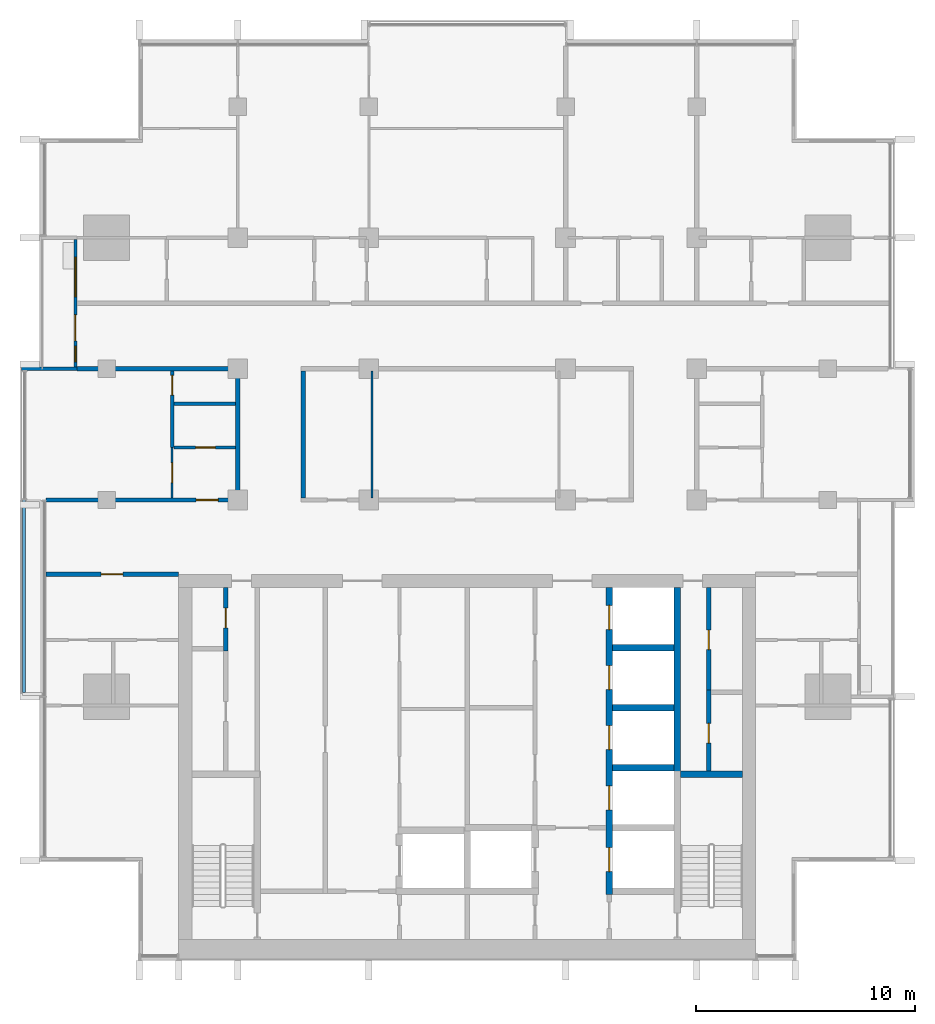
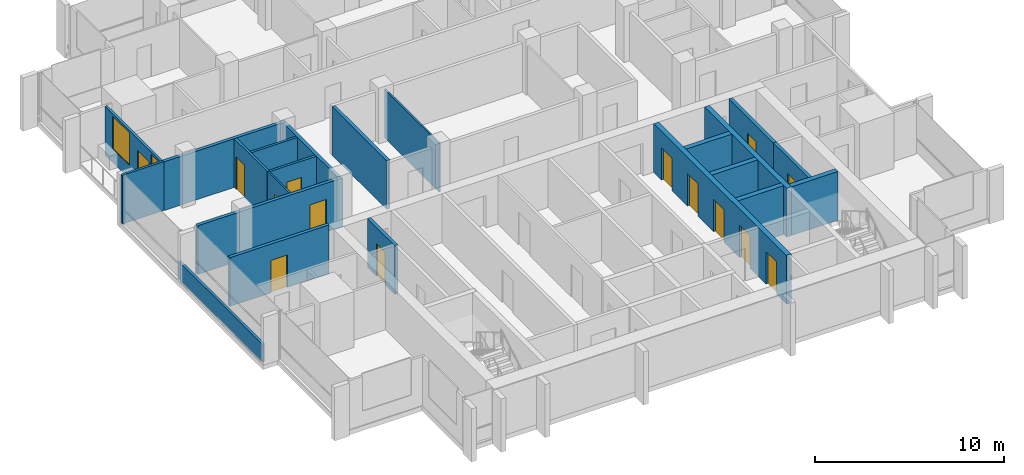
# One storey, part 8 of 16: 22 walls, 14 doors, 2 windows, 16 openings.
"""IFC4 building model written with IfcOpenShell, lengths in metres."""

from ifc_helpers import new_model, si_unit, direction, frame, frame_2d, origin, place, context, subcontext, project, spatial, rectangle, extrude, material, layer, layer_set, type_object, element, fill, save


model = new_model("IFC4")

# Units and contexts
model_context = context("Model", 3, precision=1e-05, world=origin(), true_north=direction((0.0, 1.0)))
body_context = subcontext(model_context, "Body", "Model", "MODEL_VIEW")
ifc_project = project(units=[si_unit("LENGTHUNIT", "METRE"), si_unit("AREAUNIT", "SQUARE_METRE"), si_unit("VOLUMEUNIT", "CUBIC_METRE"), si_unit("PLANEANGLEUNIT", "RADIAN"), si_unit("MASSUNIT", "GRAM", prefix="KILO")], contexts=[model_context])

# Site, building, storey
site_placement = place(None, origin())
site = spatial("IfcSite", under=ifc_project, at=site_placement, CompositionType="ELEMENT")
building_placement = place(site_placement, origin())
building = spatial("IfcBuilding", under=site, at=building_placement, Name="Finial Court Residences", CompositionType="ELEMENT")
storey_placement = place(building_placement, frame((0.0, 0.0, 244.699951171875)))
storey = spatial("IfcBuildingStorey", under=building, at=storey_placement, Name="L62", CompositionType="ELEMENT", Elevation=244.699951171875)

# Wall, opening, door
ifc_material_1 = material(Name="Gypsum board")
ifc_layer_1 = layer(ifc_material_1, 0.02490234375)
ifc_material_2 = material(Name="Acoustic mineral wool in double frame")
ifc_layer_2 = layer(ifc_material_2, 0.14990234375)
ifc_layer_3 = layer(ifc_material_1, 0.02490234375)
ifc_layer_set_1 = layer_set([ifc_layer_1, ifc_layer_2, ifc_layer_3], Name="Corridor wall 200, 1 hour")
wall_type_1 = type_object("IfcWallType", Name="Corridor wall 200, 1 hour", PredefinedType="PARTITIONING", material=ifc_layer_set_1)
wall_1_placement = place(storey_placement, frame((-19.262451171875, -7.89990234375, 0.0), z_axis=(0.0, 0.0, 1.0), x_axis=(1.0, 0.0, 0.0)))
wall_1 = element("IfcWall", 1, at=wall_1_placement, inside=storey, type_object=wall_type_1, Name="Partition L62-004", PredefinedType="PARTITIONING", context=body_context, shape_type="SweptSolid", body=[
    extrude(rectangle(XDim=6.0625, YDim=0.199951171875, at=frame_2d((3.03125, 0.0))), origin(), (0.0, 0.0, 1.0), 3.150146484375),
])
opening_1_placement = place(wall_1_placement, frame((2.511962890625, 0.0, 0.0)))
opening_1 = element("IfcOpeningElement", 2, at=opening_1_placement, cuts=wall_1, Name="Opening L62-D007", PredefinedType="OPENING", context=body_context, shape_type="SweptSolid", body=[
    extrude(rectangle(XDim=1.0, YDim=2.10009765625, at=frame_2d((0.5, 1.050048828125))), frame((0.0, 0.10986328125, 0.0), z_axis=(0.0, -1.0, 0.0), x_axis=(1.0, 0.0, 0.0)), (0.0, 0.0, 1.0), 0.219970703125),
])
ifc_material_3 = material(Name="Timber door leaf in hollow metal frame", Category="wood")
door_type_1 = type_object("IfcDoorType", Name="Fire door set 1000 x 2100, 30 minutes", OperationType="SINGLE_SWING_LEFT", PredefinedType="DOOR", material=ifc_material_3)
door_1_placement = place(opening_1_placement, origin())
door_1 = element("IfcDoor", 3, at=door_1_placement, inside=storey, type_object=door_type_1, Name="Door L62-D007", OperationType="SINGLE_SWING_LEFT", OverallHeight=2.10009765625, OverallWidth=1.0, PredefinedType="DOOR", context=body_context, shape_type="SweptSolid", body=[
    extrude(rectangle(XDim=1.0, YDim=2.10009765625, at=frame_2d((0.5, 1.050048828125))), frame((0.0, 0.02490234375, 0.0), z_axis=(0.0, -1.0, 0.0), x_axis=(1.0, 0.0, 0.0)), (0.0, 0.0, 1.0), 0.050048828125),
])
fill(opening_1, door_1)

wall_2_placement = place(storey_placement, frame((-19.262451171875, -4.5, 0.0), z_axis=(0.0, 0.0, 1.0), x_axis=(1.0, 0.0, 0.0)))
wall_2 = element("IfcWall", 4, at=wall_2_placement, inside=storey, type_object=wall_type_1, Name="Partition L62-006", PredefinedType="PARTITIONING", context=body_context, shape_type="SweptSolid", body=[
    extrude(rectangle(XDim=8.862548828125, YDim=0.199951171875, at=frame_2d((4.43115234375, 0.0))), origin(), (0.0, 0.0, 1.0), 3.150146484375),
])
opening_2_placement = place(wall_2_placement, frame((6.862060546875, 0.0, 0.0)))
opening_2 = element("IfcOpeningElement", 5, at=opening_2_placement, cuts=wall_2, Name="Opening L62-D009", PredefinedType="OPENING", context=body_context, shape_type="SweptSolid", body=[
    extrude(rectangle(XDim=1.0, YDim=2.10009765625, at=frame_2d((0.5, 1.050048828125))), frame((0.0, 0.10986328125, 0.0), z_axis=(0.0, -1.0, 0.0), x_axis=(1.0, 0.0, 0.0)), (0.0, 0.0, 1.0), 0.219970703125),
])
door_2_placement = place(opening_2_placement, origin())
door_2 = element("IfcDoor", 6, at=door_2_placement, inside=storey, type_object=door_type_1, Name="Door L62-D009", OperationType="SINGLE_SWING_LEFT", OverallHeight=2.10009765625, OverallWidth=1.0, PredefinedType="DOOR", context=body_context, shape_type="SweptSolid", body=[
    extrude(rectangle(XDim=1.0, YDim=2.10009765625, at=frame_2d((0.5, 1.050048828125))), frame((0.0, 0.02490234375, 0.0), z_axis=(0.0, -1.0, 0.0), x_axis=(1.0, 0.0, 0.0)), (0.0, 0.0, 1.0), 0.050048828125),
])
fill(opening_2, door_2)

# Walls
wall_3_placement = place(storey_placement, frame((-17.85009765625, 1.5, 0.0), z_axis=(0.0, 0.0, 1.0), x_axis=(1.0, 0.0, 0.0)))
element("IfcWall", 7, at=wall_3_placement, inside=storey, type_object=wall_type_1, Name="Partition L62-013", PredefinedType="PARTITIONING", context=body_context, shape_type="SweptSolid", body=[
    extrude(rectangle(XDim=7.4501953125, YDim=0.199951171875, at=frame_2d((3.72509765625, 0.0))), origin(), (0.0, 0.0, 1.0), 3.150146484375),
])
for number, where, z_axis, x_axis, name in (
    (8, (-10.5, -4.39990234375, 0.0), (0.0, 0.0, 1.0), (0.0, 1.0, 0.0), "Partition L62-033"),
    (9, (-7.5, -4.39990234375, 0.0), (0.0, 0.0, 1.0), (0.0, 1.0, 0.0), "Partition L62-035"),
):
    element("IfcWall", number, at=place(storey_placement, frame(where, z_axis=z_axis, x_axis=x_axis)), inside=storey, type_object=wall_type_1, Name=name, PredefinedType="PARTITIONING", context=body_context, shape_type="SweptSolid", body=[
        extrude(rectangle(XDim=5.7998046875, YDim=0.199951171875, at=frame_2d((2.89990234375, 0.0))), origin(), (0.0, 0.0, 1.0), 3.150146484375),
    ])

# Wall, opening, door
ifc_layer_4 = layer(ifc_material_1, 0.012451171875)
ifc_material_4 = material(Name="Mineral wool in light-gauge frame")
ifc_layer_5 = layer(ifc_material_4, 0.074951171875)
ifc_layer_6 = layer(ifc_material_1, 0.012451171875)
ifc_layer_set_2 = layer_set([ifc_layer_4, ifc_layer_5, ifc_layer_6], Name="Gypsum board partition 100")
wall_type_2 = type_object("IfcWallType", Name="Gypsum board partition 100", PredefinedType="PARTITIONING", material=ifc_layer_set_2)
wall_4_placement = place(storey_placement, frame((-13.5, -4.39990234375, 0.0), z_axis=(0.0, 0.0, 1.0), x_axis=(0.0, 1.0, 0.0)))
wall_4 = element("IfcWall", 10, at=wall_4_placement, inside=storey, type_object=wall_type_2, Name="Partition L62-031", PredefinedType="PARTITIONING", context=body_context, shape_type="SweptSolid", body=[
    extrude(rectangle(XDim=2.2998046875, YDim=0.10009765625, at=frame_2d((1.14990234375, 0.0))), origin(), (0.0, 0.0, 1.0), 3.150146484375),
])
opening_3_placement = place(wall_4_placement, frame((0.699951171875, 0.0, 0.0)))
opening_3 = element("IfcOpeningElement", 11, at=opening_3_placement, cuts=wall_4, Name="Opening L62-D027", PredefinedType="OPENING", context=body_context, shape_type="SweptSolid", body=[
    extrude(rectangle(XDim=0.89990234375, YDim=2.10009765625, at=frame_2d((0.449951171875, 1.050048828125))), frame((0.0, 0.06005859375, 0.0), z_axis=(0.0, -1.0, 0.0), x_axis=(1.0, 0.0, 0.0)), (0.0, 0.0, 1.0), 0.1201171875),
])
ifc_material_5 = material(Name="Timber door leaf in timber frame", Category="wood")
door_type_2 = type_object("IfcDoorType", Name="Door set 900 x 2100", OperationType="SINGLE_SWING_LEFT", PredefinedType="DOOR", material=ifc_material_5)
door_3_placement = place(opening_3_placement, origin())
door_3 = element("IfcDoor", 12, at=door_3_placement, inside=storey, type_object=door_type_2, Name="Door L62-D027", OperationType="SINGLE_SWING_LEFT", OverallHeight=2.10009765625, OverallWidth=0.89990234375, PredefinedType="DOOR", context=body_context, shape_type="SweptSolid", body=[
    extrude(rectangle(XDim=0.89990234375, YDim=2.10009765625, at=frame_2d((0.449951171875, 1.050048828125))), frame((0.0, 0.02490234375, 0.0), z_axis=(0.0, -1.0, 0.0), x_axis=(1.0, 0.0, 0.0)), (0.0, 0.0, 1.0), 0.050048828125),
])
fill(opening_3, door_3)

# Wall
wall_5_placement = place(storey_placement, frame((-4.35009765625, -4.39990234375, 0.0), z_axis=(0.0, 0.0, 1.0), x_axis=(0.0, 1.0, 0.0)))
element("IfcWall", 13, at=wall_5_placement, inside=storey, type_object=wall_type_2, Name="Partition L62-039", PredefinedType="PARTITIONING", context=body_context, shape_type="SweptSolid", body=[
    extrude(rectangle(XDim=5.7998046875, YDim=0.10009765625, at=frame_2d((2.89990234375, 0.0))), origin(), (0.0, 0.0, 1.0), 3.150146484375),
])

# Wall, opening, door
ifc_material_6 = material(Name="Moisture-resistant gypsum board")
ifc_layer_7 = layer(ifc_material_6, 0.012451171875)
ifc_layer_8 = layer(ifc_material_4, 0.125)
ifc_layer_9 = layer(ifc_material_6, 0.012451171875)
ifc_layer_set_3 = layer_set([ifc_layer_7, ifc_layer_8, ifc_layer_9], Name="Gypsum board wet-area partition 150")
wall_type_3 = type_object("IfcWallType", Name="Gypsum board wet-area partition 150", PredefinedType="PARTITIONING", material=ifc_layer_set_3)
wall_6_placement = place(storey_placement, frame((-13.425048828125, -2.10009765625, 0.0), z_axis=(0.0, 0.0, 1.0), x_axis=(1.0, 0.0, 0.0)))
wall_6 = element("IfcWall", 14, at=wall_6_placement, inside=storey, type_object=wall_type_3, Name="Partition L62-009", PredefinedType="PARTITIONING", context=body_context, shape_type="SweptSolid", body=[
    extrude(rectangle(XDim=2.824951171875, YDim=0.14990234375, at=frame_2d((1.41259765625, 0.0))), origin(), (0.0, 0.0, 1.0), 3.150146484375),
])
opening_4_placement = place(wall_6_placement, frame((1.0, 0.0, 0.0)))
opening_4 = element("IfcOpeningElement", 15, at=opening_4_placement, cuts=wall_6, Name="Opening L62-D014", PredefinedType="OPENING", context=body_context, shape_type="SweptSolid", body=[
    extrude(rectangle(XDim=0.89990234375, YDim=2.10009765625, at=frame_2d((0.449951171875, 1.050048828125))), frame((0.0, 0.0849609375, 0.0), z_axis=(0.0, -1.0, 0.0), x_axis=(1.0, 0.0, 0.0)), (0.0, 0.0, 1.0), 0.169921875),
])
door_4_placement = place(opening_4_placement, origin())
door_4 = element("IfcDoor", 16, at=door_4_placement, inside=storey, type_object=door_type_2, Name="Door L62-D014", OperationType="SINGLE_SWING_RIGHT", OverallHeight=2.10009765625, OverallWidth=0.89990234375, PredefinedType="DOOR", context=body_context, shape_type="SweptSolid", body=[
    extrude(rectangle(XDim=0.89990234375, YDim=2.10009765625, at=frame_2d((0.449951171875, 1.050048828125))), frame((0.0, 0.02490234375, 0.0), z_axis=(0.0, -1.0, 0.0), x_axis=(1.0, 0.0, 0.0)), (0.0, 0.0, 1.0), 0.050048828125),
])
fill(opening_4, door_4)

# Wall
wall_7_placement = place(storey_placement, frame((-13.425048828125, -0.10009765625, 0.0), z_axis=(0.0, 0.0, 1.0), x_axis=(1.0, 0.0, 0.0)))
element("IfcWall", 17, at=wall_7_placement, inside=storey, type_object=wall_type_3, Name="Partition L62-011", PredefinedType="PARTITIONING", context=body_context, shape_type="SweptSolid", body=[
    extrude(rectangle(XDim=2.824951171875, YDim=0.14990234375, at=frame_2d((1.41259765625, 0.0))), origin(), (0.0, 0.0, 1.0), 3.150146484375),
])

# Wall, opening, door
wall_8_placement = place(storey_placement, frame((-13.5, -2.10009765625, 0.0), z_axis=(0.0, 0.0, 1.0), x_axis=(0.0, 1.0, 0.0)))
wall_8 = element("IfcWall", 18, at=wall_8_placement, inside=storey, type_object=wall_type_3, Name="Partition L62-032", PredefinedType="PARTITIONING", context=body_context, shape_type="SweptSolid", body=[
    extrude(rectangle(XDim=3.5, YDim=0.14990234375, at=frame_2d((1.75, 0.0))), origin(), (0.0, 0.0, 1.0), 3.150146484375),
])
opening_5_placement = place(wall_8_placement, frame((2.39990234375, 0.0, 0.0)))
opening_5 = element("IfcOpeningElement", 19, at=opening_5_placement, cuts=wall_8, Name="Opening L62-D028", PredefinedType="OPENING", context=body_context, shape_type="SweptSolid", body=[
    extrude(rectangle(XDim=0.89990234375, YDim=2.10009765625, at=frame_2d((0.449951171875, 1.050048828125))), frame((0.0, 0.0849609375, 0.0), z_axis=(0.0, -1.0, 0.0), x_axis=(1.0, 0.0, 0.0)), (0.0, 0.0, 1.0), 0.169921875),
])
door_5_placement = place(opening_5_placement, origin())
door_5 = element("IfcDoor", 20, at=door_5_placement, inside=storey, type_object=door_type_2, Name="Door L62-D028", OperationType="SINGLE_SWING_RIGHT", OverallHeight=2.10009765625, OverallWidth=0.89990234375, PredefinedType="DOOR", context=body_context, shape_type="SweptSolid", body=[
    extrude(rectangle(XDim=0.89990234375, YDim=2.10009765625, at=frame_2d((0.449951171875, 1.050048828125))), frame((0.0, 0.02490234375, 0.0), z_axis=(0.0, -1.0, 0.0), x_axis=(1.0, 0.0, 0.0)), (0.0, 0.0, 1.0), 0.050048828125),
])
fill(opening_5, door_5)

# Walls
ifc_material_7 = material(Name="Concrete C35/45", Category="concrete")
ifc_layer_10 = layer(ifc_material_7, 0.14990234375)
ifc_layer_set_4 = layer_set([ifc_layer_10], Name="Ledge parapet, Concrete C35/45 150")
wall_type_4 = type_object("IfcWallType", Name="Ledge parapet, Concrete C35/45 150", PredefinedType="PARAPET", material=ifc_layer_set_4)
wall_9_placement = place(storey_placement, frame((-20.27490234375, -13.300048828125, 0.0), z_axis=(0.0, 0.0, 1.0), x_axis=(0.0, 1.0, 0.0)))
element("IfcWall", 21, at=wall_9_placement, inside=storey, type_object=wall_type_4, Name="E-L62-LED1-P2", PredefinedType="PARAPET", context=body_context, shape_type="SweptSolid", body=[
    extrude(rectangle(XDim=8.8525390625, YDim=0.14990234375, at=frame_2d((4.42626953125, 0.0))), origin(), (0.0, 0.0, 1.0), 1.150146484375),
])
ifc_material_8 = material(Name="Concrete C60/75", Category="concrete")
ifc_layer_11 = layer(ifc_material_8, 0.300048828125)
ifc_layer_set_5 = layer_set([ifc_layer_11], Name="Lift shaft and stair wall 300 Concrete C60/75")
wall_type_5 = type_object("IfcWallType", Name="Lift shaft and stair wall 300 Concrete C60/75", PredefinedType="SHEAR", material=ifc_layer_set_5)
wall_10_placement = place(storey_placement, frame((9.75, -17.050048828125, 0.0), z_axis=(0.0, 0.0, 1.0), x_axis=(1.0, 0.0, 0.0)))
element("IfcWall", 22, at=wall_10_placement, inside=storey, type_object=wall_type_5, Name="Core wall L62-10", PredefinedType="SHEAR", context=body_context, shape_type="SweptSolid", body=[
    extrude(rectangle(XDim=2.85009765625, YDim=0.300048828125, at=frame_2d((1.425048828125, 0.0))), origin(), (0.0, 0.0, 1.0), 3.150146484375),
])
for number, where, z_axis, x_axis, name in (
    (23, (6.64990234375, -16.75, 0.0), (0.0, 0.0, 1.0), (1.0, 0.0, 0.0), "Core wall L62-11"),
    (24, (6.64990234375, -14.0, 0.0), (0.0, 0.0, 1.0), (1.0, 0.0, 0.0), "Core wall L62-14"),
    (25, (6.64990234375, -11.25, 0.0), (0.0, 0.0, 1.0), (1.0, 0.0, 0.0), "Core wall L62-17"),
):
    element("IfcWall", number, at=place(storey_placement, frame(where, z_axis=z_axis, x_axis=x_axis)), inside=storey, type_object=wall_type_5, Name=name, PredefinedType="SHEAR", context=body_context, shape_type="SweptSolid", body=[
        extrude(rectangle(XDim=2.800048828125, YDim=0.300048828125, at=frame_2d((1.39990234375, 0.0))), origin(), (0.0, 0.0, 1.0), 3.150146484375),
    ])

# Wall, openings, doors
wall_11_placement = place(storey_placement, frame((6.5, -22.550048828125, 0.0), z_axis=(0.0, 0.0, 1.0), x_axis=(0.0, 1.0, 0.0)))
wall_11 = element("IfcWall", 26, at=wall_11_placement, inside=storey, type_object=wall_type_5, Name="Core wall L62-33", PredefinedType="SHEAR", context=body_context, shape_type="SweptSolid", body=[
    extrude(rectangle(XDim=14.050048828125, YDim=0.300048828125, at=frame_2d((7.02490234375, 0.0))), origin(), (0.0, 0.0, 1.0), 3.150146484375),
])
opening_6_placement = place(wall_11_placement, frame((1.050048828125, 0.0, 0.0)))
opening_6 = element("IfcOpeningElement", 27, at=opening_6_placement, cuts=wall_11, Name="Opening L62-LD02", PredefinedType="OPENING", context=body_context, shape_type="SweptSolid", body=[
    extrude(rectangle(XDim=1.10009765625, YDim=2.10009765625, at=frame_2d((0.550048828125, 1.050048828125))), frame((0.0, 0.159912109375, 0.0), z_axis=(0.0, -1.0, 0.0), x_axis=(1.0, 0.0, 0.0)), (0.0, 0.0, 1.0), 0.320068359375),
])
opening_7_placement = place(wall_11_placement, frame((3.875, 0.0, 0.0)))
opening_7 = element("IfcOpeningElement", 28, at=opening_7_placement, cuts=wall_11, Name="Opening L62-LD03", PredefinedType="OPENING", context=body_context, shape_type="SweptSolid", body=[
    extrude(rectangle(XDim=1.10009765625, YDim=2.10009765625, at=frame_2d((0.550048828125, 1.050048828125))), frame((0.0, 0.159912109375, 0.0), z_axis=(0.0, -1.0, 0.0), x_axis=(1.0, 0.0, 0.0)), (0.0, 0.0, 1.0), 0.320068359375),
])
opening_8_placement = place(wall_11_placement, frame((6.625, 0.0, 0.0)))
opening_8 = element("IfcOpeningElement", 29, at=opening_8_placement, cuts=wall_11, Name="Opening L62-LD04", PredefinedType="OPENING", context=body_context, shape_type="SweptSolid", body=[
    extrude(rectangle(XDim=1.10009765625, YDim=2.10009765625, at=frame_2d((0.550048828125, 1.050048828125))), frame((0.0, 0.159912109375, 0.0), z_axis=(0.0, -1.0, 0.0), x_axis=(1.0, 0.0, 0.0)), (0.0, 0.0, 1.0), 0.320068359375),
])
opening_9_placement = place(wall_11_placement, frame((9.375, 0.0, 0.0)))
opening_9 = element("IfcOpeningElement", 30, at=opening_9_placement, cuts=wall_11, Name="Opening L62-LD05", PredefinedType="OPENING", context=body_context, shape_type="SweptSolid", body=[
    extrude(rectangle(XDim=1.10009765625, YDim=2.10009765625, at=frame_2d((0.550048828125, 1.050048828125))), frame((0.0, 0.159912109375, 0.0), z_axis=(0.0, -1.0, 0.0), x_axis=(1.0, 0.0, 0.0)), (0.0, 0.0, 1.0), 0.320068359375),
])
opening_10_placement = place(wall_11_placement, frame((12.125, 0.0, 0.0)))
opening_10 = element("IfcOpeningElement", 31, at=opening_10_placement, cuts=wall_11, Name="Opening L62-LD06", PredefinedType="OPENING", context=body_context, shape_type="SweptSolid", body=[
    extrude(rectangle(XDim=1.10009765625, YDim=2.10009765625, at=frame_2d((0.550048828125, 1.050048828125))), frame((0.0, 0.159912109375, 0.0), z_axis=(0.0, -1.0, 0.0), x_axis=(1.0, 0.0, 0.0)), (0.0, 0.0, 1.0), 0.320068359375),
])
ifc_material_9 = material(Name="Stainless steel lift door", Category="steel")
door_type_3 = type_object("IfcDoorType", Name="Lift landing door 1100 x 2100 EI 90", OperationType="DOUBLE_DOOR_SLIDING", PredefinedType="DOOR", material=ifc_material_9)
door_6_placement = place(opening_6_placement, origin())
door_6 = element("IfcDoor", 32, at=door_6_placement, inside=storey, type_object=door_type_3, Name="Lift landing door FF2 L62", OperationType="DOUBLE_DOOR_SLIDING", OverallHeight=2.10009765625, OverallWidth=1.10009765625, PredefinedType="DOOR", context=body_context, shape_type="SweptSolid", body=[
    extrude(rectangle(XDim=1.10009765625, YDim=2.10009765625, at=frame_2d((0.550048828125, 1.050048828125))), frame((0.0, 0.02490234375, 0.0), z_axis=(0.0, -1.0, 0.0), x_axis=(1.0, 0.0, 0.0)), (0.0, 0.0, 1.0), 0.050048828125),
])
fill(opening_6, door_6)
door_7_placement = place(opening_7_placement, origin())
door_7 = element("IfcDoor", 33, at=door_7_placement, inside=storey, type_object=door_type_3, Name="Lift landing door HR5 L62", OperationType="DOUBLE_DOOR_SLIDING", OverallHeight=2.10009765625, OverallWidth=1.10009765625, PredefinedType="DOOR", context=body_context, shape_type="SweptSolid", body=[
    extrude(rectangle(XDim=1.10009765625, YDim=2.10009765625, at=frame_2d((0.550048828125, 1.050048828125))), frame((0.0, 0.02490234375, 0.0), z_axis=(0.0, -1.0, 0.0), x_axis=(1.0, 0.0, 0.0)), (0.0, 0.0, 1.0), 0.050048828125),
])
fill(opening_7, door_7)
door_8_placement = place(opening_8_placement, origin())
door_8 = element("IfcDoor", 34, at=door_8_placement, inside=storey, type_object=door_type_3, Name="Lift landing door HR6 L62", OperationType="DOUBLE_DOOR_SLIDING", OverallHeight=2.10009765625, OverallWidth=1.10009765625, PredefinedType="DOOR", context=body_context, shape_type="SweptSolid", body=[
    extrude(rectangle(XDim=1.10009765625, YDim=2.10009765625, at=frame_2d((0.550048828125, 1.050048828125))), frame((0.0, 0.02490234375, 0.0), z_axis=(0.0, -1.0, 0.0), x_axis=(1.0, 0.0, 0.0)), (0.0, 0.0, 1.0), 0.050048828125),
])
fill(opening_8, door_8)
door_9_placement = place(opening_9_placement, origin())
door_9 = element("IfcDoor", 35, at=door_9_placement, inside=storey, type_object=door_type_3, Name="Lift landing door HR7 L62", OperationType="DOUBLE_DOOR_SLIDING", OverallHeight=2.10009765625, OverallWidth=1.10009765625, PredefinedType="DOOR", context=body_context, shape_type="SweptSolid", body=[
    extrude(rectangle(XDim=1.10009765625, YDim=2.10009765625, at=frame_2d((0.550048828125, 1.050048828125))), frame((0.0, 0.02490234375, 0.0), z_axis=(0.0, -1.0, 0.0), x_axis=(1.0, 0.0, 0.0)), (0.0, 0.0, 1.0), 0.050048828125),
])
fill(opening_9, door_9)
door_10_placement = place(opening_10_placement, origin())
door_10 = element("IfcDoor", 36, at=door_10_placement, inside=storey, type_object=door_type_3, Name="Lift landing door HR8 L62", OperationType="DOUBLE_DOOR_SLIDING", OverallHeight=2.10009765625, OverallWidth=1.10009765625, PredefinedType="DOOR", context=body_context, shape_type="SweptSolid", body=[
    extrude(rectangle(XDim=1.10009765625, YDim=2.10009765625, at=frame_2d((0.550048828125, 1.050048828125))), frame((0.0, 0.02490234375, 0.0), z_axis=(0.0, -1.0, 0.0), x_axis=(1.0, 0.0, 0.0)), (0.0, 0.0, 1.0), 0.050048828125),
])
fill(opening_10, door_10)

# Walls
wall_12_placement = place(storey_placement, frame((9.60009765625, -17.199951171875, 0.0), z_axis=(0.0, 0.0, 1.0), x_axis=(0.0, 1.0, 0.0)))
element("IfcWall", 37, at=wall_12_placement, inside=storey, type_object=wall_type_5, Name="Core wall L62-35", PredefinedType="SHEAR", context=body_context, shape_type="SweptSolid", body=[
    extrude(rectangle(XDim=8.699951171875, YDim=0.300048828125, at=frame_2d((4.35009765625, 0.0))), origin(), (0.0, 0.0, 1.0), 3.150146484375),
])
ifc_material_10 = material(Name="Natural limestone", Category="masonry")
ifc_layer_12 = layer(ifc_material_10, 0.14990234375)
ifc_layer_set_6 = layer_set([ifc_layer_12], Name="Limestone clad wall 150")
wall_type_6 = type_object("IfcWallType", Name="Limestone clad wall 150", PredefinedType="SOLIDWALL", material=ifc_layer_set_6)
wall_13_placement = place(storey_placement, frame((-17.85009765625, 1.5, 0.0), z_axis=(0.0, 0.0, 1.0), x_axis=(-1.0, 0.0, 0.0)))
element("IfcWall", 38, at=wall_13_placement, inside=storey, type_object=wall_type_6, Name="E-L62-BALW4-P1", PredefinedType="SOLIDWALL", context=body_context, shape_type="SweptSolid", body=[
    extrude(rectangle(XDim=2.5498046875, YDim=0.14990234375, at=frame_2d((1.27490234375, 0.0))), origin(), (0.0, 0.0, 1.0), 3.150146484375),
])

# Wall, openings, door, windows
wall_14_placement = place(storey_placement, frame((-17.925048828125, 1.574951171875, 0.0), z_axis=(0.0, 0.0, 1.0), x_axis=(0.0, 1.0, 0.0)))
wall_14 = element("IfcWall", 39, at=wall_14_placement, inside=storey, type_object=wall_type_6, Name="E-L62-L62-BALW4-W", PredefinedType="SOLIDWALL", context=body_context, shape_type="SweptSolid", body=[
    extrude(rectangle(XDim=5.85009765625, YDim=0.14990234375, at=frame_2d((2.925048828125, 0.0))), origin(), (0.0, 0.0, 1.0), 3.150146484375),
])
opening_11_placement = place(wall_14_placement, frame((1.199951171875, 0.0, 0.0)))
opening_11 = element("IfcOpeningElement", 40, at=opening_11_placement, cuts=wall_14, Name="Opening DE62-02", PredefinedType="OPENING", context=body_context, shape_type="SweptSolid", body=[
    extrude(rectangle(XDim=1.199951171875, YDim=2.39990234375, at=frame_2d((0.60009765625, 1.199951171875))), frame((0.0, 0.0849609375, 0.0), z_axis=(0.0, -1.0, 0.0), x_axis=(1.0, 0.0, 0.0)), (0.0, 0.0, 1.0), 0.169921875),
])
opening_12_placement = place(wall_14_placement, frame((0.25, 0.0, 0.89990234375)))
opening_12 = element("IfcOpeningElement", 41, at=opening_12_placement, cuts=wall_14, Name="Opening WE62-11", PredefinedType="OPENING", context=body_context, shape_type="SweptSolid", body=[
    extrude(rectangle(XDim=0.699951171875, YDim=2.10009765625, at=frame_2d((0.35009765625, 1.050048828125))), frame((0.0, 0.0849609375, 0.0), z_axis=(0.0, -1.0, 0.0), x_axis=(1.0, 0.0, 0.0)), (0.0, 0.0, 1.0), 0.169921875),
])
opening_13_placement = place(wall_14_placement, frame((3.22509765625, 0.0, 0.89990234375)))
opening_13 = element("IfcOpeningElement", 42, at=opening_13_placement, cuts=wall_14, Name="Opening WE62-12", PredefinedType="OPENING", context=body_context, shape_type="SweptSolid", body=[
    extrude(rectangle(XDim=1.800048828125, YDim=2.10009765625, at=frame_2d((0.89990234375, 1.050048828125))), frame((0.0, 0.0849609375, 0.0), z_axis=(0.0, -1.0, 0.0), x_axis=(1.0, 0.0, 0.0)), (0.0, 0.0, 1.0), 0.169921875),
])
ifc_material_11 = material(Name="Bronze anodised aluminium", Category="aluminium")
door_type_4 = type_object("IfcDoorType", Name="Balcony door 1200 x 2400", OperationType="SINGLE_SWING_LEFT", PredefinedType="DOOR", material=ifc_material_11)
door_11_placement = place(opening_11_placement, origin())
door_11 = element("IfcDoor", 43, at=door_11_placement, inside=storey, type_object=door_type_4, Name="E-L62-L62-BALW4-W-D", OperationType="SINGLE_SWING_RIGHT", OverallHeight=2.39990234375, OverallWidth=1.199951171875, PredefinedType="DOOR", context=body_context, shape_type="SweptSolid", body=[
    extrude(rectangle(XDim=1.199951171875, YDim=2.39990234375, at=frame_2d((0.60009765625, 1.199951171875))), frame((0.0, 0.02490234375, 0.0), z_axis=(0.0, -1.0, 0.0), x_axis=(1.0, 0.0, 0.0)), (0.0, 0.0, 1.0), 0.050048828125),
])
fill(opening_11, door_11)
ifc_material_12 = material(Name="Clear low-e glass", Category="glass")
window_type_1 = type_object("IfcWindowType", Name="Balcony window 1800 x 2100", PartitioningType="SINGLE_PANEL", PredefinedType="WINDOW", material=ifc_material_12)
window_1_placement = place(opening_13_placement, origin())
window_1 = element("IfcWindow", 44, at=window_1_placement, inside=storey, type_object=window_type_1, Name="E-L62-L62-BALW4-W-W2", OverallHeight=2.10009765625, OverallWidth=1.800048828125, PartitioningType="SINGLE_PANEL", PredefinedType="WINDOW", context=body_context, shape_type="SweptSolid", body=[
    extrude(rectangle(XDim=1.800048828125, YDim=2.10009765625, at=frame_2d((0.89990234375, 1.050048828125))), frame((0.0, 0.030029296875, 0.0), z_axis=(0.0, -1.0, 0.0), x_axis=(1.0, 0.0, 0.0)), (0.0, 0.0, 1.0), 0.06005859375),
])
fill(opening_13, window_1)
window_type_2 = type_object("IfcWindowType", Name="Balcony window 700 x 2100", PartitioningType="SINGLE_PANEL", PredefinedType="WINDOW", material=ifc_material_12)
window_2_placement = place(opening_12_placement, origin())
window_2 = element("IfcWindow", 45, at=window_2_placement, inside=storey, type_object=window_type_2, Name="E-L62-L62-BALW4-W-W1", OverallHeight=2.10009765625, OverallWidth=0.699951171875, PartitioningType="SINGLE_PANEL", PredefinedType="WINDOW", context=body_context, shape_type="SweptSolid", body=[
    extrude(rectangle(XDim=0.699951171875, YDim=2.10009765625, at=frame_2d((0.35009765625, 1.050048828125))), frame((0.0, 0.030029296875, 0.0), z_axis=(0.0, -1.0, 0.0), x_axis=(1.0, 0.0, 0.0)), (0.0, 0.0, 1.0), 0.06005859375),
])
fill(opening_12, window_2)

# Wall, opening, door
ifc_material_13 = material(Name="Fire-rated gypsum board partition")
ifc_layer_13 = layer(ifc_material_13, 0.199951171875)
ifc_layer_set_7 = layer_set([ifc_layer_13], Name="Riser room wall 200 EI 120")
wall_type_7 = type_object("IfcWallType", Name="Riser room wall 200 EI 120", PredefinedType="PARTITIONING", material=ifc_layer_set_7)
wall_15_placement = place(storey_placement, frame((-11.050048828125, -11.39990234375, 0.0), z_axis=(0.0, 0.0, 1.0), x_axis=(0.0, 1.0, 0.0)))
wall_15 = element("IfcWall", 46, at=wall_15_placement, inside=storey, type_object=wall_type_7, Name="Core partition L62-19", PredefinedType="PARTITIONING", context=body_context, shape_type="SweptSolid", body=[
    extrude(rectangle(XDim=2.89990234375, YDim=0.199951171875, at=frame_2d((1.449951171875, 0.0))), origin(), (0.0, 0.0, 1.0), 3.150146484375),
])
opening_14_placement = place(wall_15_placement, frame((1.050048828125, 0.0, 0.0)))
opening_14 = element("IfcOpeningElement", 47, at=opening_14_placement, cuts=wall_15, Name="Opening L62-C07", PredefinedType="OPENING", context=body_context, shape_type="SweptSolid", body=[
    extrude(rectangle(XDim=0.89990234375, YDim=2.10009765625, at=frame_2d((0.449951171875, 1.050048828125))), frame((0.0, 0.10986328125, 0.0), z_axis=(0.0, -1.0, 0.0), x_axis=(1.0, 0.0, 0.0)), (0.0, 0.0, 1.0), 0.219970703125),
])
ifc_material_14 = material(Name="Steel fire door", Category="steel")
door_type_5 = type_object("IfcDoorType", Name="Riser room door 900 x 2100 EI 90", OperationType="NOTDEFINED", PredefinedType="DOOR", material=ifc_material_14)
door_12_placement = place(opening_14_placement, origin())
door_12 = element("IfcDoor", 48, at=door_12_placement, inside=storey, type_object=door_type_5, Name="Riser room door L62-C07", OperationType="SINGLE_SWING_LEFT", OverallHeight=2.10009765625, OverallWidth=0.89990234375, PredefinedType="DOOR", context=body_context, shape_type="SweptSolid", body=[
    extrude(rectangle(XDim=0.89990234375, YDim=2.10009765625, at=frame_2d((0.449951171875, 1.050048828125))), frame((0.0, 0.02490234375, 0.0), z_axis=(0.0, -1.0, 0.0), x_axis=(1.0, 0.0, 0.0)), (0.0, 0.0, 1.0), 0.050048828125),
])
fill(opening_14, door_12)

wall_16_placement = place(storey_placement, frame((11.050048828125, -8.5, 0.0), z_axis=(0.0, 0.0, 1.0), x_axis=(0.0, -1.0, 0.0)))
wall_16 = element("IfcWall", 49, at=wall_16_placement, inside=storey, type_object=wall_type_7, Name="Core partition L62-37", PredefinedType="PARTITIONING", context=body_context, shape_type="SweptSolid", body=[
    extrude(rectangle(XDim=4.89990234375, YDim=0.199951171875, at=frame_2d((2.449951171875, 0.0))), origin(), (0.0, 0.0, 1.0), 3.150146484375),
])
opening_15_placement = place(wall_16_placement, frame((1.949951171875, 0.0, 0.0)))
opening_15 = element("IfcOpeningElement", 50, at=opening_15_placement, cuts=wall_16, Name="Opening L62-C08", PredefinedType="OPENING", context=body_context, shape_type="SweptSolid", body=[
    extrude(rectangle(XDim=0.89990234375, YDim=2.10009765625, at=frame_2d((0.449951171875, 1.050048828125))), frame((0.0, 0.10986328125, 0.0), z_axis=(0.0, -1.0, 0.0), x_axis=(1.0, 0.0, 0.0)), (0.0, 0.0, 1.0), 0.219970703125),
])
door_13_placement = place(opening_15_placement, origin())
door_13 = element("IfcDoor", 51, at=door_13_placement, inside=storey, type_object=door_type_5, Name="Riser room door L62-C08", OperationType="SINGLE_SWING_RIGHT", OverallHeight=2.10009765625, OverallWidth=0.89990234375, PredefinedType="DOOR", context=body_context, shape_type="SweptSolid", body=[
    extrude(rectangle(XDim=0.89990234375, YDim=2.10009765625, at=frame_2d((0.449951171875, 1.050048828125))), frame((0.0, 0.02490234375, 0.0), z_axis=(0.0, -1.0, 0.0), x_axis=(1.0, 0.0, 0.0)), (0.0, 0.0, 1.0), 0.050048828125),
])
fill(opening_15, door_13)

ifc_layer_14 = layer(ifc_material_13, 0.199951171875)
ifc_layer_set_8 = layer_set([ifc_layer_14], Name="Stair passage wall 200 EI 180")
wall_type_8 = type_object("IfcWallType", Name="Stair passage wall 200 EI 180", PredefinedType="PARTITIONING", material=ifc_layer_set_8)
wall_17_placement = place(storey_placement, frame((11.050048828125, -13.199951171875, 0.0), z_axis=(0.0, 0.0, 1.0), x_axis=(0.0, -1.0, 0.0)))
wall_17 = element("IfcWall", 52, at=wall_17_placement, inside=storey, type_object=wall_type_8, Name="Core partition L62-36", PredefinedType="PARTITIONING", context=body_context, shape_type="SweptSolid", body=[
    extrude(rectangle(XDim=3.699951171875, YDim=0.199951171875, at=frame_2d((1.85009765625, 0.0))), origin(), (0.0, 0.0, 1.0), 3.150146484375),
])
opening_16_placement = place(wall_17_placement, frame((1.52490234375, 0.0, 0.0)))
opening_16 = element("IfcOpeningElement", 53, at=opening_16_placement, cuts=wall_17, Name="Opening L62-C16", PredefinedType="OPENING", context=body_context, shape_type="SweptSolid", body=[
    extrude(rectangle(XDim=0.89990234375, YDim=2.10009765625, at=frame_2d((0.449951171875, 1.050048828125))), frame((0.0, 0.10986328125, 0.0), z_axis=(0.0, -1.0, 0.0), x_axis=(1.0, 0.0, 0.0)), (0.0, 0.0, 1.0), 0.219970703125),
])
door_type_6 = type_object("IfcDoorType", Name="Core room door 900 x 2100 EI 60", OperationType="NOTDEFINED", PredefinedType="DOOR", material=ifc_material_14)
door_14_placement = place(opening_16_placement, origin())
door_14 = element("IfcDoor", 54, at=door_14_placement, inside=storey, type_object=door_type_6, Name="Core room door L62-C16", OperationType="SINGLE_SWING_RIGHT", OverallHeight=2.10009765625, OverallWidth=0.89990234375, PredefinedType="DOOR", context=body_context, shape_type="SweptSolid", body=[
    extrude(rectangle(XDim=0.89990234375, YDim=2.10009765625, at=frame_2d((0.449951171875, 1.050048828125))), frame((0.0, 0.02490234375, 0.0), z_axis=(0.0, -1.0, 0.0), x_axis=(1.0, 0.0, 0.0)), (0.0, 0.0, 1.0), 0.050048828125),
])
fill(opening_16, door_14)

save(model, "model.ifc")
